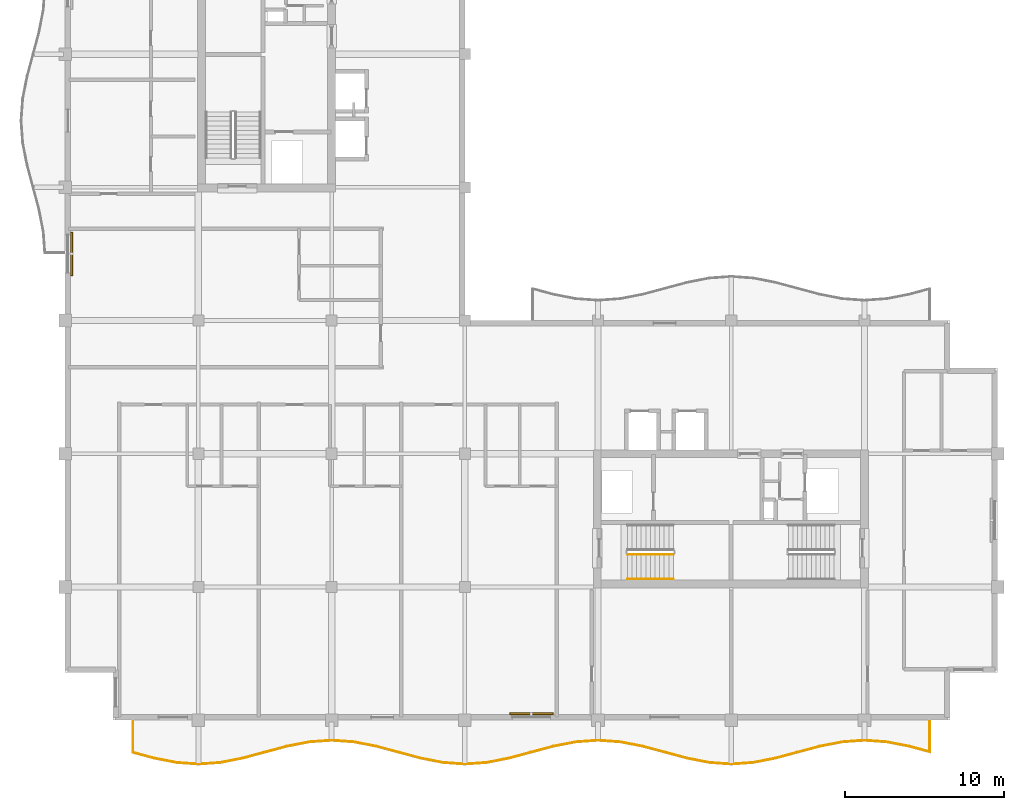
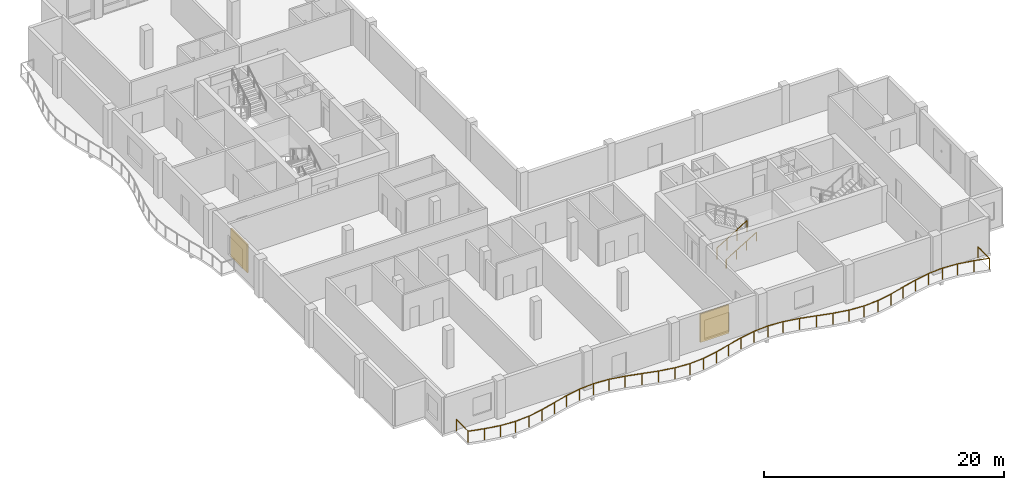
# One storey, part 13 of 15: 3 railings, 2 shading devices.
"""IFC4 building model written with IfcOpenShell, lengths in metres."""

from ifc_helpers import new_model, si_unit, direction, frame, origin, origin_2d, place, context, subcontext, project, spatial, rectangle, circle, extrude, material, layer, layer_set, type_object, element, save


model = new_model("IFC4")

# Units and contexts
model_context = context("Model", 3, precision=1e-05, world=origin(), true_north=direction((0.0, 1.0)))
body_context = subcontext(model_context, "Body", "Model", "MODEL_VIEW")
ifc_project = project(units=[si_unit("LENGTHUNIT", "METRE"), si_unit("AREAUNIT", "SQUARE_METRE"), si_unit("VOLUMEUNIT", "CUBIC_METRE"), si_unit("PLANEANGLEUNIT", "RADIAN"), si_unit("MASSUNIT", "GRAM", prefix="KILO")], contexts=[model_context])

# Site, building, storey
site_placement = place(None, origin())
site = spatial("IfcSite", under=ifc_project, at=site_placement, CompositionType="ELEMENT")
building_placement = place(site_placement, origin())
building = spatial("IfcBuilding", under=site, at=building_placement, Name="Koriwani Terraces Tower", CompositionType="ELEMENT")
storey_placement = place(building_placement, frame((0.0, 0.0, 300.800048828125)))
storey = spatial("IfcBuildingStorey", under=building, at=storey_placement, Name="L74", CompositionType="ELEMENT", Elevation=300.800048828125)

# Railings
ifc_material_1 = material(Name="Steel ASTM A572 Grade 50", Category="steel")
railing_type_1 = type_object("IfcRailingType", Name="GUARD_BALUSTRADE_1150", PredefinedType="BALUSTRADE", material=ifc_material_1)
railing_1_placement = place(storey_placement, frame((12.679931640625, 8.320068359375, 0.0)))
element("IfcRailing", 1, at=railing_1_placement, inside=storey, type_object=railing_type_1, Name="L74 Balcony Perimeter Safety Balustrade (S)", PredefinedType="BALUSTRADE", context=body_context, shape_type="SweptSolid", body=[
    extrude(circle(Radius=0.02392578125, at=origin_2d()), frame((0.0, 0.0, 1.1259765625), z_axis=(0.0, -1.0, 0.0), x_axis=(1.0, 0.0, 0.0)), (0.0, 0.0, 1.0), 1.958740234375),
    extrude(circle(Radius=0.02392578125, at=origin_2d()), frame((0.0, -1.958740234375, 1.1259765625), z_axis=(0.965953557044, -0.25871553033, 0.0), x_axis=(0.25871553033, 0.965953557044, 0.0)), (0.0, 0.0, 1.0), 1.38525390625),
    extrude(circle(Radius=0.02392578125, at=origin_2d()), frame((1.338134765625, -2.317138671875, 1.1259765625), z_axis=(0.981327760125, -0.192342993657, 0.0), x_axis=(0.192342993657, 0.981327760125, 0.0)), (0.0, 0.0, 1.0), 1.419189453125),
    extrude(circle(Radius=0.02392578125, at=origin_2d()), frame((2.730712890625, -2.590087890625, 1.1259765625), z_axis=(0.997427466293, -0.07168297904, 0.0), x_axis=(0.07168297904, 0.997427466293, 0.0)), (0.0, 0.0, 1.0), 1.39306640625),
    extrude(circle(Radius=0.02392578125, at=origin_2d()), frame((4.1201171875, -2.68994140625, 1.1259765625), z_axis=(0.997427466293, 0.07168297904, 0.0), x_axis=(-0.07168297904, 0.997427466293, 0.0)), (0.0, 0.0, 1.0), 1.39306640625),
    extrude(circle(Radius=0.02392578125, at=origin_2d()), frame((5.509521484375, -2.590087890625, 1.1259765625), z_axis=(0.981321393675, 0.19237547223, 0.0), x_axis=(-0.19237547223, 0.981321393675, 0.0)), (0.0, 0.0, 1.0), 1.4189453125),
    extrude(circle(Radius=0.02392578125, at=origin_2d()), frame((6.90185546875, -2.317138671875, 1.1259765625), z_axis=(0.965954816498, 0.258710827923, 0.0), x_axis=(-0.258710827923, 0.965954816498, 0.0)), (0.0, 0.0, 1.0), 2.89892578125),
    extrude(circle(Radius=0.02392578125, at=origin_2d()), frame((9.7021484375, -1.567138671875, 1.1259765625), z_axis=(0.981352180954, 0.192218357442, 0.0), x_axis=(-0.192218357442, 0.981352180954, 0.0)), (0.0, 0.0, 1.0), 1.43408203125),
    extrude(circle(Radius=0.02392578125, at=origin_2d()), frame((11.109375, -1.29150390625, 1.1259765625), z_axis=(0.997430581876, 0.071639614309, 0.0), x_axis=(-0.071639614309, 0.997430581876, 0.0)), (0.0, 0.0, 1.0), 1.414306640625),
    extrude(circle(Radius=0.02392578125, at=origin_2d()), frame((12.52001953125, -1.190185546875, 1.1259765625), z_axis=(0.997430581876, -0.071639614309, 0.0), x_axis=(0.071639614309, 0.997430581876, 0.0)), (0.0, 0.0, 1.0), 1.414306640625),
    extrude(circle(Radius=0.02392578125, at=origin_2d()), frame((13.9306640625, -1.29150390625, 1.1259765625), z_axis=(0.981358469957, -0.192186246762, 0.0), x_axis=(0.192186246762, 0.981358469957, 0.0)), (0.0, 0.0, 1.0), 1.434326171875),
    extrude(circle(Radius=0.02392578125, at=origin_2d()), frame((15.338134765625, -1.567138671875, 1.1259765625), z_axis=(0.96594917914, -0.258731875344, 0.0), x_axis=(0.258731875344, 0.96594917914, 0.0)), (0.0, 0.0, 1.0), 2.898681640625),
    extrude(circle(Radius=0.02392578125, at=origin_2d()), frame((18.13818359375, -2.317138671875, 1.1259765625), z_axis=(0.981327760125, -0.192342993657, 0.0), x_axis=(0.192342993657, 0.981327760125, 0.0)), (0.0, 0.0, 1.0), 1.419189453125),
    extrude(circle(Radius=0.02392578125, at=origin_2d()), frame((19.53076171875, -2.590087890625, 1.1259765625), z_axis=(0.997427466293, -0.07168297904, 0.0), x_axis=(0.07168297904, 0.997427466293, 0.0)), (0.0, 0.0, 1.0), 1.39306640625),
    extrude(circle(Radius=0.02392578125, at=origin_2d()), frame((20.920166015625, -2.68994140625, 1.1259765625), z_axis=(0.997427466293, 0.07168297904, 0.0), x_axis=(-0.07168297904, 0.997427466293, 0.0)), (0.0, 0.0, 1.0), 1.39306640625),
    extrude(circle(Radius=0.02392578125, at=origin_2d()), frame((22.3095703125, -2.590087890625, 1.1259765625), z_axis=(0.981321393675, 0.19237547223, 0.0), x_axis=(-0.19237547223, 0.981321393675, 0.0)), (0.0, 0.0, 1.0), 1.4189453125),
    extrude(circle(Radius=0.02392578125, at=origin_2d()), frame((23.701904296875, -2.317138671875, 1.1259765625), z_axis=(0.96594917914, 0.258731875344, 0.0), x_axis=(-0.258731875344, 0.96594917914, 0.0)), (0.0, 0.0, 1.0), 2.898681640625),
    extrude(circle(Radius=0.02392578125, at=origin_2d()), frame((26.501953125, -1.567138671875, 1.1259765625), z_axis=(0.981358469957, 0.192186246762, 0.0), x_axis=(-0.192186246762, 0.981358469957, 0.0)), (0.0, 0.0, 1.0), 1.434326171875),
    extrude(circle(Radius=0.02392578125, at=origin_2d()), frame((27.909423828125, -1.29150390625, 1.1259765625), z_axis=(0.997430581876, 0.071639614309, 0.0), x_axis=(-0.071639614309, 0.997430581876, 0.0)), (0.0, 0.0, 1.0), 1.414306640625),
    extrude(circle(Radius=0.02392578125, at=origin_2d()), frame((29.320068359375, -1.190185546875, 1.1259765625), z_axis=(0.997430581876, -0.071639614309, 0.0), x_axis=(0.071639614309, 0.997430581876, 0.0)), (0.0, 0.0, 1.0), 1.414306640625),
    extrude(circle(Radius=0.02392578125, at=origin_2d()), frame((30.730712890625, -1.29150390625, 1.1259765625), z_axis=(0.981358469957, -0.192186246762, 0.0), x_axis=(0.192186246762, 0.981358469957, 0.0)), (0.0, 0.0, 1.0), 1.434326171875),
    extrude(circle(Radius=0.02392578125, at=origin_2d()), frame((32.13818359375, -1.567138671875, 1.1259765625), z_axis=(0.96594917914, -0.258731875344, 0.0), x_axis=(0.258731875344, 0.96594917914, 0.0)), (0.0, 0.0, 1.0), 2.898681640625),
    extrude(circle(Radius=0.02392578125, at=origin_2d()), frame((34.938232421875, -2.317138671875, 1.1259765625), z_axis=(0.981321393675, -0.19237547223, 0.0), x_axis=(0.19237547223, 0.981321393675, 0.0)), (0.0, 0.0, 1.0), 1.4189453125),
    extrude(circle(Radius=0.02392578125, at=origin_2d()), frame((36.33056640625, -2.590087890625, 1.1259765625), z_axis=(0.997427466293, -0.07168297904, 0.0), x_axis=(0.07168297904, 0.997427466293, 0.0)), (0.0, 0.0, 1.0), 1.39306640625),
    extrude(circle(Radius=0.02392578125, at=origin_2d()), frame((37.719970703125, -2.68994140625, 1.1259765625), z_axis=(0.997427466293, 0.07168297904, 0.0), x_axis=(-0.07168297904, 0.997427466293, 0.0)), (0.0, 0.0, 1.0), 1.39306640625),
    extrude(circle(Radius=0.02392578125, at=origin_2d()), frame((39.109375, -2.590087890625, 1.1259765625), z_axis=(0.981327760125, 0.192342993657, 0.0), x_axis=(-0.192342993657, 0.981327760125, 0.0)), (0.0, 0.0, 1.0), 1.419189453125),
    extrude(circle(Radius=0.02392578125, at=origin_2d()), frame((40.501953125, -2.317138671875, 1.1259765625), z_axis=(0.96594917914, 0.258731875344, 0.0), x_axis=(-0.258731875344, 0.96594917914, 0.0)), (0.0, 0.0, 1.0), 2.898681640625),
    extrude(circle(Radius=0.02392578125, at=origin_2d()), frame((43.302001953125, -1.567138671875, 1.1259765625), z_axis=(0.981358469957, 0.192186246762, 0.0), x_axis=(-0.192186246762, 0.981358469957, 0.0)), (0.0, 0.0, 1.0), 1.434326171875),
    extrude(circle(Radius=0.02392578125, at=origin_2d()), frame((44.70947265625, -1.29150390625, 1.1259765625), z_axis=(0.997430581876, 0.071639614309, 0.0), x_axis=(-0.071639614309, 0.997430581876, 0.0)), (0.0, 0.0, 1.0), 1.414306640625),
    extrude(circle(Radius=0.02392578125, at=origin_2d()), frame((46.1201171875, -1.190185546875, 1.1259765625), z_axis=(0.997430581876, -0.071639614309, 0.0), x_axis=(0.071639614309, 0.997430581876, 0.0)), (0.0, 0.0, 1.0), 1.414306640625),
    extrude(circle(Radius=0.02392578125, at=origin_2d()), frame((47.53076171875, -1.29150390625, 1.1259765625), z_axis=(0.981352180954, -0.192218357442, 0.0), x_axis=(0.192218357442, 0.981352180954, 0.0)), (0.0, 0.0, 1.0), 1.43408203125),
    extrude(circle(Radius=0.02392578125, at=origin_2d()), frame((48.93798828125, -1.567138671875, 1.1259765625), z_axis=(0.965969874285, -0.258654599752, 0.0), x_axis=(0.258654599752, 0.965969874285, 0.0)), (0.0, 0.0, 1.0), 1.347900390625),
    extrude(circle(Radius=0.02392578125, at=origin_2d()), frame((50.239990234375, -1.915771484375, 1.1259765625), z_axis=(0.0, 1.0, 0.0), x_axis=(-1.0, 0.0, 0.0)), (0.0, 0.0, 1.0), 1.915771484375),
    extrude(circle(Radius=0.02099609375, at=origin_2d()), origin(), (0.0, 0.0, 1.0), 1.101806640625),
    extrude(circle(Radius=0.02099609375, at=origin_2d()), frame((0.0, -1.958740234375, 0.0)), (0.0, 0.0, 1.0), 1.101806640625),
    extrude(circle(Radius=0.02099609375, at=origin_2d()), frame((1.338134765625, -2.317138671875, 0.0)), (0.0, 0.0, 1.0), 1.101806640625),
    extrude(circle(Radius=0.02099609375, at=origin_2d()), frame((2.730712890625, -2.590087890625, 0.0)), (0.0, 0.0, 1.0), 1.101806640625),
    extrude(circle(Radius=0.02099609375, at=origin_2d()), frame((4.1201171875, -2.68994140625, 0.0)), (0.0, 0.0, 1.0), 1.101806640625),
    extrude(circle(Radius=0.02099609375, at=origin_2d()), frame((5.509521484375, -2.590087890625, 0.0)), (0.0, 0.0, 1.0), 1.101806640625),
    extrude(circle(Radius=0.02099609375, at=origin_2d()), frame((6.90185546875, -2.317138671875, 0.0)), (0.0, 0.0, 1.0), 1.101806640625),
    extrude(circle(Radius=0.02099609375, at=origin_2d()), frame((8.302001953125, -1.942138671875, 0.0)), (0.0, 0.0, 1.0), 1.101806640625),
    extrude(circle(Radius=0.02099609375, at=origin_2d()), frame((9.7021484375, -1.567138671875, 0.0)), (0.0, 0.0, 1.0), 1.101806640625),
    extrude(circle(Radius=0.02099609375, at=origin_2d()), frame((11.109375, -1.29150390625, 0.0)), (0.0, 0.0, 1.0), 1.101806640625),
    extrude(circle(Radius=0.02099609375, at=origin_2d()), frame((12.52001953125, -1.190185546875, 0.0)), (0.0, 0.0, 1.0), 1.101806640625),
    extrude(circle(Radius=0.02099609375, at=origin_2d()), frame((13.9306640625, -1.29150390625, 0.0)), (0.0, 0.0, 1.0), 1.101806640625),
    extrude(circle(Radius=0.02099609375, at=origin_2d()), frame((15.338134765625, -1.567138671875, 0.0)), (0.0, 0.0, 1.0), 1.101806640625),
    extrude(circle(Radius=0.02099609375, at=origin_2d()), frame((16.73828125, -1.942138671875, 0.0)), (0.0, 0.0, 1.0), 1.101806640625),
    extrude(circle(Radius=0.02099609375, at=origin_2d()), frame((18.13818359375, -2.317138671875, 0.0)), (0.0, 0.0, 1.0), 1.101806640625),
    extrude(circle(Radius=0.02099609375, at=origin_2d()), frame((19.53076171875, -2.590087890625, 0.0)), (0.0, 0.0, 1.0), 1.101806640625),
    extrude(circle(Radius=0.02099609375, at=origin_2d()), frame((20.920166015625, -2.68994140625, 0.0)), (0.0, 0.0, 1.0), 1.101806640625),
    extrude(circle(Radius=0.02099609375, at=origin_2d()), frame((22.3095703125, -2.590087890625, 0.0)), (0.0, 0.0, 1.0), 1.101806640625),
    extrude(circle(Radius=0.02099609375, at=origin_2d()), frame((23.701904296875, -2.317138671875, 0.0)), (0.0, 0.0, 1.0), 1.101806640625),
    extrude(circle(Radius=0.02099609375, at=origin_2d()), frame((25.10205078125, -1.942138671875, 0.0)), (0.0, 0.0, 1.0), 1.101806640625),
    extrude(circle(Radius=0.02099609375, at=origin_2d()), frame((26.501953125, -1.567138671875, 0.0)), (0.0, 0.0, 1.0), 1.101806640625),
    extrude(circle(Radius=0.02099609375, at=origin_2d()), frame((27.909423828125, -1.29150390625, 0.0)), (0.0, 0.0, 1.0), 1.101806640625),
    extrude(circle(Radius=0.02099609375, at=origin_2d()), frame((29.320068359375, -1.190185546875, 0.0)), (0.0, 0.0, 1.0), 1.101806640625),
    extrude(circle(Radius=0.02099609375, at=origin_2d()), frame((30.730712890625, -1.29150390625, 0.0)), (0.0, 0.0, 1.0), 1.101806640625),
    extrude(circle(Radius=0.02099609375, at=origin_2d()), frame((32.13818359375, -1.567138671875, 0.0)), (0.0, 0.0, 1.0), 1.101806640625),
    extrude(circle(Radius=0.02099609375, at=origin_2d()), frame((33.5380859375, -1.942138671875, 0.0)), (0.0, 0.0, 1.0), 1.101806640625),
    extrude(circle(Radius=0.02099609375, at=origin_2d()), frame((34.938232421875, -2.317138671875, 0.0)), (0.0, 0.0, 1.0), 1.101806640625),
    extrude(circle(Radius=0.02099609375, at=origin_2d()), frame((36.33056640625, -2.590087890625, 0.0)), (0.0, 0.0, 1.0), 1.101806640625),
    extrude(circle(Radius=0.02099609375, at=origin_2d()), frame((37.719970703125, -2.68994140625, 0.0)), (0.0, 0.0, 1.0), 1.101806640625),
    extrude(circle(Radius=0.02099609375, at=origin_2d()), frame((39.109375, -2.590087890625, 0.0)), (0.0, 0.0, 1.0), 1.101806640625),
    extrude(circle(Radius=0.02099609375, at=origin_2d()), frame((40.501953125, -2.317138671875, 0.0)), (0.0, 0.0, 1.0), 1.101806640625),
    extrude(circle(Radius=0.02099609375, at=origin_2d()), frame((41.90185546875, -1.942138671875, 0.0)), (0.0, 0.0, 1.0), 1.101806640625),
    extrude(circle(Radius=0.02099609375, at=origin_2d()), frame((43.302001953125, -1.567138671875, 0.0)), (0.0, 0.0, 1.0), 1.101806640625),
    extrude(circle(Radius=0.02099609375, at=origin_2d()), frame((44.70947265625, -1.29150390625, 0.0)), (0.0, 0.0, 1.0), 1.101806640625),
    extrude(circle(Radius=0.02099609375, at=origin_2d()), frame((46.1201171875, -1.190185546875, 0.0)), (0.0, 0.0, 1.0), 1.101806640625),
    extrude(circle(Radius=0.02099609375, at=origin_2d()), frame((47.53076171875, -1.29150390625, 0.0)), (0.0, 0.0, 1.0), 1.101806640625),
    extrude(circle(Radius=0.02099609375, at=origin_2d()), frame((48.93798828125, -1.567138671875, 0.0)), (0.0, 0.0, 1.0), 1.101806640625),
    extrude(circle(Radius=0.02099609375, at=origin_2d()), frame((50.239990234375, -1.915771484375, 0.0)), (0.0, 0.0, 1.0), 1.101806640625),
    extrude(circle(Radius=0.02099609375, at=origin_2d()), frame((50.239990234375, 0.0, 0.0)), (0.0, 0.0, 1.0), 1.101806640625),
])
railing_type_2 = type_object("IfcRailingType", Name="GUARD_STAIR_WELL_1120", PredefinedType="GUARDRAIL", material=ifc_material_1)
railing_2_placement = place(storey_placement, frame((43.85009765625, 18.85009765625, 0.17724609375)))
element("IfcRailing", 2, at=railing_2_placement, inside=storey, type_object=railing_type_2, Name="L74 ST-E1 stair guard 1", PredefinedType="GUARDRAIL", context=body_context, shape_type="SweptSolid", body=[
    extrude(circle(Radius=0.02392578125, at=origin_2d()), frame((0.0, 0.0, 1.1259765625), z_axis=(0.853210801645, 0.0, 0.521566225858), x_axis=(0.0, 1.0, 0.0)), (0.0, 0.0, 1.0), 3.39892578125),
    extrude(circle(Radius=0.02099609375, at=origin_2d()), origin(), (0.0, 0.0, 1.0), 1.101806640625),
    extrude(circle(Radius=0.02099609375, at=origin_2d()), frame((0.966552734375, 0.0, 0.5908203125)), (0.0, 0.0, 1.0), 1.101806640625),
    extrude(circle(Radius=0.02099609375, at=origin_2d()), frame((1.933349609375, 0.0, 1.181884765625)), (0.0, 0.0, 1.0), 1.101806640625),
    extrude(circle(Radius=0.02099609375, at=origin_2d()), frame((2.89990234375, 0.0, 1.772705078125)), (0.0, 0.0, 1.0), 1.101806640625),
])
railing_type_3 = type_object("IfcRailingType", Name="HANDRAIL_STAIR_920", PredefinedType="HANDRAIL", material=ifc_material_1)
railing_3_placement = place(storey_placement, frame((43.85009765625, 17.300048828125, 0.17724609375)))
element("IfcRailing", 3, at=railing_3_placement, inside=storey, type_object=railing_type_3, Name="L74 ST-E1 stair handrail 1", PredefinedType="HANDRAIL", context=body_context, shape_type="SweptSolid", body=[
    extrude(circle(Radius=0.02392578125, at=origin_2d()), frame((0.0, 0.0, 0.8759765625), z_axis=(0.853210801645, 0.0, 0.521566225858), x_axis=(0.0, 1.0, 0.0)), (0.0, 0.0, 1.0), 3.39892578125),
    extrude(circle(Radius=0.02099609375, at=origin_2d()), origin(), (0.0, 0.0, 1.0), 0.851806640625),
    extrude(circle(Radius=0.02099609375, at=origin_2d()), frame((0.966552734375, 0.0, 0.5908203125)), (0.0, 0.0, 1.0), 0.851806640625),
    extrude(circle(Radius=0.02099609375, at=origin_2d()), frame((1.933349609375, 0.0, 1.181884765625)), (0.0, 0.0, 1.0), 0.851806640625),
    extrude(circle(Radius=0.02099609375, at=origin_2d()), frame((2.89990234375, 0.0, 1.772705078125)), (0.0, 0.0, 1.0), 0.851806640625),
])

# Shading devices
ifc_material_2 = material(Name="Extruded Terracotta Clay", Category="masonry")
ifc_layer = layer(ifc_material_2, 0.1201171875, Name="Extruded Terracotta Clay")
ifc_layer_set = layer_set([ifc_layer], Name="Extruded Terracotta Clay")
shading_device_type = type_object("IfcShadingDeviceType", Name="TERRACOTTA_BAGUETTE_SCREEN_2800", PredefinedType="USERDEFINED", material=ifc_layer_set)
for number, where, z_axis, x_axis, name in (
    (4, (8.804931640625, 37.800048828125, 0.385009765625), (0.0, 0.0, 1.0), (0.0, 1.0, 0.0), "L74 Extruded Terracotta Baguette Screen (W-9)"),
    (5, (37.800048828125, 8.804931640625, 0.385009765625), (0.0, 0.0, 1.0), (-1.0, 0.0, 0.0), "L74 Extruded Terracotta Baguette Screen (S-9)"),
):
    element("IfcShadingDevice", number, at=place(storey_placement, frame(where, z_axis=z_axis, x_axis=x_axis)), inside=storey, type_object=shading_device_type, Name=name, ObjectType="BAGUETTE", PredefinedType="USERDEFINED", context=body_context, shape_type="SweptSolid", body=[
        extrude(rectangle(XDim=2.760009765625, YDim=0.1201171875, at=origin_2d()), origin(), (0.0, 0.0, 1.0), 2.89990234375),
    ])

save(model, "model.ifc")
